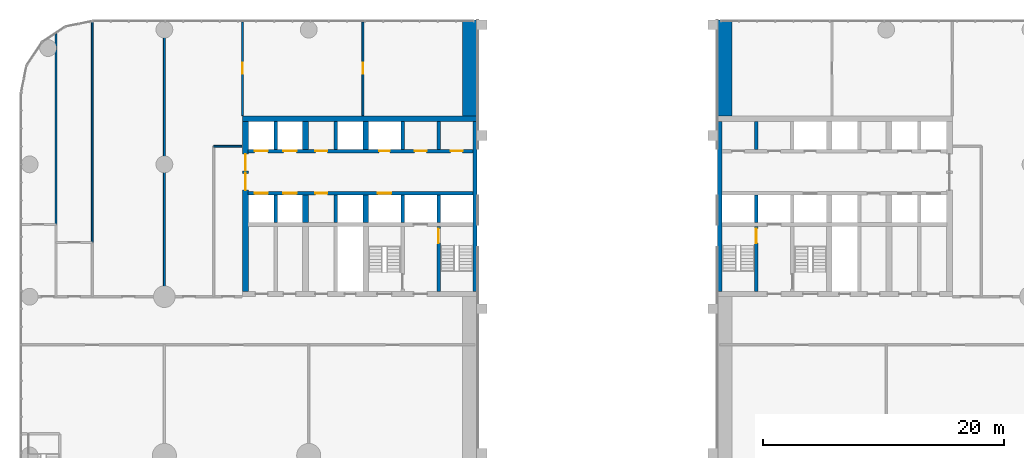
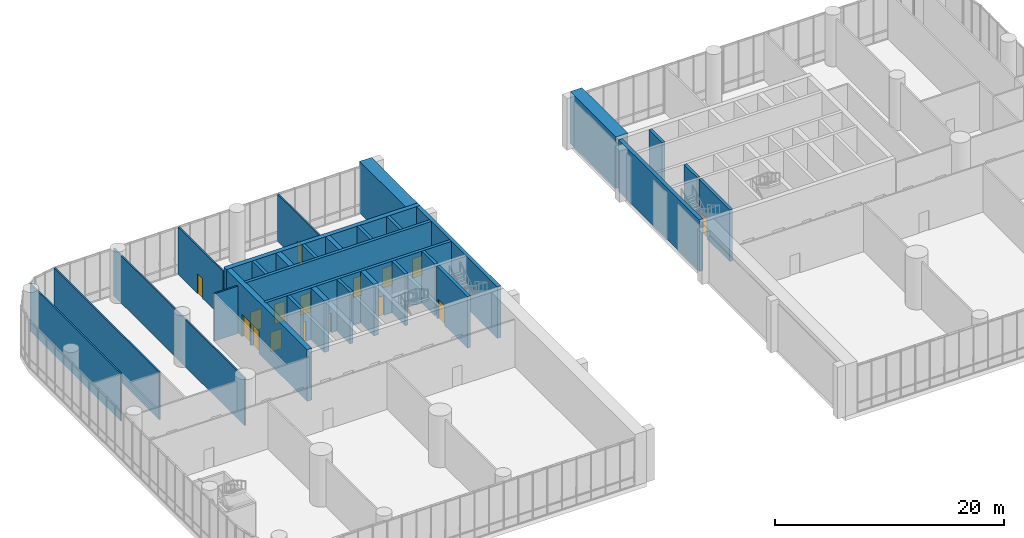
# One storey, part 23 of 28: 30 walls, 16 doors, 16 openings.
"""IFC4 building model written with IfcOpenShell, lengths in metres."""

from ifc_helpers import new_model, si_unit, direction, frame, frame_2d, origin, place, context, subcontext, project, spatial, rectangle, extrude, material, layer, layer_set, type_object, element, fill, save


model = new_model("IFC4")

# Units and contexts
model_context = context("Model", 3, precision=1e-05, world=origin(), true_north=direction((0.0, 1.0)))
body_context = subcontext(model_context, "Body", "Model", "MODEL_VIEW")
ifc_project = project(units=[si_unit("LENGTHUNIT", "METRE"), si_unit("AREAUNIT", "SQUARE_METRE"), si_unit("VOLUMEUNIT", "CUBIC_METRE"), si_unit("PLANEANGLEUNIT", "RADIAN"), si_unit("MASSUNIT", "GRAM", prefix="KILO")], contexts=[model_context])

# Site, building, storey
site_placement = place(None, origin())
site = spatial("IfcSite", under=ifc_project, at=site_placement, CompositionType="ELEMENT")
building_placement = place(site_placement, origin())
building = spatial("IfcBuilding", under=site, at=building_placement, Name="Torana Hotel and Residences", CompositionType="ELEMENT")
storey_placement = place(building_placement, frame((0.0, 0.0, 7.0)))
storey = spatial("IfcBuildingStorey", under=building, at=storey_placement, Name="L01", CompositionType="ELEMENT", Elevation=7.0)

# Walls
ifc_material_1 = material(Name="Concrete C70/85", Category="concrete")
ifc_layer_1 = layer(ifc_material_1, 1.199951171875)
ifc_layer_set_1 = layer_set([ifc_layer_1], Name="CORE WALL 1200 C70/85")
wall_type_1 = type_object("IfcWallType", Name="CORE WALL 1200 C70/85", PredefinedType="SHEAR", material=ifc_layer_set_1)
for number, where, z_axis, x_axis, name in (
    (1, (-10.60009765625, 0.0, 0.0), (0.0, 0.0, 1.0), (0.0, 1.0, 0.0), "Arch jamb wall W"),
    (2, (10.60009765625, 0.0, 0.0), (0.0, 0.0, 1.0), (0.0, 1.0, 0.0), "Arch jamb wall E"),
):
    element("IfcWall", number, at=place(storey_placement, frame(where, z_axis=z_axis, x_axis=x_axis)), inside=storey, type_object=wall_type_1, Name=name, PredefinedType="SHEAR", context=body_context, shape_type="SweptSolid", body=[
        extrude(rectangle(XDim=8.0, YDim=1.199951171875, at=frame_2d((4.0, 0.0))), origin(), (0.0, 0.0, 1.0), 5.5),
    ])

# Wall, openings, doors
ifc_material_2 = material(Name="Concrete C80/95", Category="concrete")
ifc_layer_2 = layer(ifc_material_2, 0.300048828125)
ifc_layer_set_2 = layer_set([ifc_layer_2], Name="CORE WALL 300 C80/95")
wall_type_2 = type_object("IfcWallType", Name="CORE WALL 300 C80/95", PredefinedType="SHEAR", material=ifc_layer_set_2)
wall_1_placement = place(storey_placement, frame((-29.050048828125, -2.89990234375, 0.0), z_axis=(0.0, 0.0, 1.0), x_axis=(1.0, 0.0, 0.0)))
wall_1 = element("IfcWall", 3, at=wall_1_placement, inside=storey, type_object=wall_type_2, Name="Core wall W row-N", PredefinedType="SHEAR", context=body_context, shape_type="SweptSolid", body=[
    extrude(rectangle(XDim=18.699951171875, YDim=0.300048828125, at=frame_2d((9.35009765625, 0.0))), origin(), (0.0, 0.0, 1.0), 5.5),
])
opening_1_placement = place(wall_1_placement, frame((2.949951171875, 0.0, 0.0)))
opening_1 = element("IfcOpeningElement", 4, at=opening_1_placement, cuts=wall_1, Name="Opening LD", PredefinedType="OPENING", context=body_context, shape_type="SweptSolid", body=[
    extrude(rectangle(XDim=1.10009765625, YDim=2.10009765625, at=frame_2d((0.550048828125, 1.050048828125))), frame((0.0, 0.159912109375, 0.0), z_axis=(0.0, -1.0, 0.0), x_axis=(1.0, 0.0, 0.0)), (0.0, 0.0, 1.0), 0.320068359375),
])
opening_2_placement = place(wall_1_placement, frame((0.550048828125, 0.0, 0.0)))
opening_2 = element("IfcOpeningElement", 5, at=opening_2_placement, cuts=wall_1, Name="Opening LD", PredefinedType="OPENING", context=body_context, shape_type="SweptSolid", body=[
    extrude(rectangle(XDim=1.10009765625, YDim=2.10009765625, at=frame_2d((0.550048828125, 1.050048828125))), frame((0.0, 0.159912109375, 0.0), z_axis=(0.0, -1.0, 0.0), x_axis=(1.0, 0.0, 0.0)), (0.0, 0.0, 1.0), 0.320068359375),
])
opening_3_placement = place(wall_1_placement, frame((10.89990234375, 0.0, 0.0)))
opening_3 = element("IfcOpeningElement", 6, at=opening_3_placement, cuts=wall_1, Name="Opening L01-09", PredefinedType="OPENING", context=body_context, shape_type="SweptSolid", body=[
    extrude(rectangle(XDim=0.89990234375, YDim=2.10009765625, at=frame_2d((0.449951171875, 1.050048828125))), frame((0.0, 0.159912109375, 0.0), z_axis=(0.0, -1.0, 0.0), x_axis=(1.0, 0.0, 0.0)), (0.0, 0.0, 1.0), 0.320068359375),
])
opening_4_placement = place(wall_1_placement, frame((16.85009765625, 0.0, 0.0)))
opening_4 = element("IfcOpeningElement", 7, at=opening_4_placement, cuts=wall_1, Name="Opening L01-10", PredefinedType="OPENING", context=body_context, shape_type="SweptSolid", body=[
    extrude(rectangle(XDim=1.0, YDim=2.10009765625, at=frame_2d((0.5, 1.050048828125))), frame((0.0, 0.159912109375, 0.0), z_axis=(0.0, -1.0, 0.0), x_axis=(1.0, 0.0, 0.0)), (0.0, 0.0, 1.0), 0.320068359375),
])
opening_5_placement = place(wall_1_placement, frame((13.85009765625, 0.0, 0.0)))
opening_5 = element("IfcOpeningElement", 8, at=opening_5_placement, cuts=wall_1, Name="Opening L01-11", PredefinedType="OPENING", context=body_context, shape_type="SweptSolid", body=[
    extrude(rectangle(XDim=1.0, YDim=2.10009765625, at=frame_2d((0.5, 1.050048828125))), frame((0.0, 0.159912109375, 0.0), z_axis=(0.0, -1.0, 0.0), x_axis=(1.0, 0.0, 0.0)), (0.0, 0.0, 1.0), 0.320068359375),
])
opening_6_placement = place(wall_1_placement, frame((5.60009765625, 0.0, 0.0)))
opening_6 = element("IfcOpeningElement", 9, at=opening_6_placement, cuts=wall_1, Name="Opening L01-12", PredefinedType="OPENING", context=body_context, shape_type="SweptSolid", body=[
    extrude(rectangle(XDim=1.0, YDim=2.10009765625, at=frame_2d((0.5, 1.050048828125))), frame((0.0, 0.159912109375, 0.0), z_axis=(0.0, -1.0, 0.0), x_axis=(1.0, 0.0, 0.0)), (0.0, 0.0, 1.0), 0.320068359375),
])
ifc_material_3 = material(Name="Steel S235", Category="steel")
door_type_1 = type_object("IfcDoorType", Name="CORE ROOM FIRE DOOR D14 1000x2100", OperationType="SINGLE_SWING_LEFT", PredefinedType="DOOR", material=ifc_material_3)
door_1_placement = place(opening_4_placement, origin())
door_1 = element("IfcDoor", 10, at=door_1_placement, inside=storey, type_object=door_type_1, Name="N0 door L01", OperationType="SINGLE_SWING_RIGHT", OverallHeight=2.10009765625, OverallWidth=1.0, PredefinedType="DOOR", context=body_context, shape_type="SweptSolid", body=[
    extrude(rectangle(XDim=1.0, YDim=2.10009765625, at=frame_2d((0.5, 1.050048828125))), frame((0.0, 0.02490234375, 0.0), z_axis=(0.0, -1.0, 0.0), x_axis=(1.0, 0.0, 0.0)), (0.0, 0.0, 1.0), 0.050048828125),
])
fill(opening_4, door_1)
door_2_placement = place(opening_5_placement, origin())
door_2 = element("IfcDoor", 11, at=door_2_placement, inside=storey, type_object=door_type_1, Name="N1 door L01", OperationType="SINGLE_SWING_RIGHT", OverallHeight=2.10009765625, OverallWidth=1.0, PredefinedType="DOOR", context=body_context, shape_type="SweptSolid", body=[
    extrude(rectangle(XDim=1.0, YDim=2.10009765625, at=frame_2d((0.5, 1.050048828125))), frame((0.0, 0.02490234375, 0.0), z_axis=(0.0, -1.0, 0.0), x_axis=(1.0, 0.0, 0.0)), (0.0, 0.0, 1.0), 0.050048828125),
])
fill(opening_5, door_2)
door_3_placement = place(opening_6_placement, origin())
door_3 = element("IfcDoor", 12, at=door_3_placement, inside=storey, type_object=door_type_1, Name="Free-M1 door L01", OperationType="SINGLE_SWING_RIGHT", OverallHeight=2.10009765625, OverallWidth=1.0, PredefinedType="DOOR", context=body_context, shape_type="SweptSolid", body=[
    extrude(rectangle(XDim=1.0, YDim=2.10009765625, at=frame_2d((0.5, 1.050048828125))), frame((0.0, 0.02490234375, 0.0), z_axis=(0.0, -1.0, 0.0), x_axis=(1.0, 0.0, 0.0)), (0.0, 0.0, 1.0), 0.050048828125),
])
fill(opening_6, door_3)
ifc_material_4 = material(Name="Stainless steel 316", Category="steel")
door_type_2 = type_object("IfcDoorType", Name="LIFT LANDING DOOR LD 1100x2100", OperationType="DOUBLE_DOOR_SLIDING", PredefinedType="USERDEFINED", material=ifc_material_4)
door_4_placement = place(opening_1_placement, origin())
door_4 = element("IfcDoor", 13, at=door_4_placement, inside=storey, type_object=door_type_2, Name="Lift landing door L1 L01", ObjectType="LIFT LANDING DOOR", OperationType="DOUBLE_DOOR_SLIDING", OverallHeight=2.10009765625, OverallWidth=1.10009765625, PredefinedType="USERDEFINED", context=body_context, shape_type="SweptSolid", body=[
    extrude(rectangle(XDim=1.10009765625, YDim=2.10009765625, at=frame_2d((0.550048828125, 1.050048828125))), frame((0.0, 0.02490234375, 0.0), z_axis=(0.0, -1.0, 0.0), x_axis=(1.0, 0.0, 0.0)), (0.0, 0.0, 1.0), 0.050048828125),
])
fill(opening_1, door_4)
door_5_placement = place(opening_2_placement, origin())
door_5 = element("IfcDoor", 14, at=door_5_placement, inside=storey, type_object=door_type_2, Name="Lift landing door L2 L01", ObjectType="LIFT LANDING DOOR", OperationType="DOUBLE_DOOR_SLIDING", OverallHeight=2.10009765625, OverallWidth=1.10009765625, PredefinedType="USERDEFINED", context=body_context, shape_type="SweptSolid", body=[
    extrude(rectangle(XDim=1.10009765625, YDim=2.10009765625, at=frame_2d((0.550048828125, 1.050048828125))), frame((0.0, 0.02490234375, 0.0), z_axis=(0.0, -1.0, 0.0), x_axis=(1.0, 0.0, 0.0)), (0.0, 0.0, 1.0), 0.050048828125),
])
fill(opening_2, door_5)
ifc_material_5 = material(Name="Steel S235", Category="steel")
door_type_3 = type_object("IfcDoorType", Name="RISER ACCESS DOOR D5 900x2100", OperationType="SINGLE_SWING_LEFT", PredefinedType="DOOR", material=ifc_material_5)
door_6_placement = place(opening_3_placement, origin())
door_6 = element("IfcDoor", 15, at=door_6_placement, inside=storey, type_object=door_type_3, Name="N2 door L01", OperationType="SINGLE_SWING_RIGHT", OverallHeight=2.10009765625, OverallWidth=0.89990234375, PredefinedType="DOOR", context=body_context, shape_type="SweptSolid", body=[
    extrude(rectangle(XDim=0.89990234375, YDim=2.10009765625, at=frame_2d((0.449951171875, 1.050048828125))), frame((0.0, 0.02490234375, 0.0), z_axis=(0.0, -1.0, 0.0), x_axis=(1.0, 0.0, 0.0)), (0.0, 0.0, 1.0), 0.050048828125),
])
fill(opening_3, door_6)

wall_2_placement = place(storey_placement, frame((-29.050048828125, -6.39990234375, 0.0), z_axis=(0.0, 0.0, 1.0), x_axis=(1.0, 0.0, 0.0)))
wall_2 = element("IfcWall", 16, at=wall_2_placement, inside=storey, type_object=wall_type_2, Name="Core wall W row-S", PredefinedType="SHEAR", context=body_context, shape_type="SweptSolid", body=[
    extrude(rectangle(XDim=18.699951171875, YDim=0.300048828125, at=frame_2d((9.35009765625, 0.0))), origin(), (0.0, 0.0, 1.0), 5.5),
])
opening_7_placement = place(wall_2_placement, frame((2.949951171875, 0.0, 0.0)))
opening_7 = element("IfcOpeningElement", 17, at=opening_7_placement, cuts=wall_2, Name="Opening LD", PredefinedType="OPENING", context=body_context, shape_type="SweptSolid", body=[
    extrude(rectangle(XDim=1.10009765625, YDim=2.10009765625, at=frame_2d((0.550048828125, 1.050048828125))), frame((0.0, 0.159912109375, 0.0), z_axis=(0.0, -1.0, 0.0), x_axis=(1.0, 0.0, 0.0)), (0.0, 0.0, 1.0), 0.320068359375),
])
opening_8_placement = place(wall_2_placement, frame((0.550048828125, 0.0, 0.0)))
opening_8 = element("IfcOpeningElement", 18, at=opening_8_placement, cuts=wall_2, Name="Opening LD", PredefinedType="OPENING", context=body_context, shape_type="SweptSolid", body=[
    extrude(rectangle(XDim=1.10009765625, YDim=2.10009765625, at=frame_2d((0.550048828125, 1.050048828125))), frame((0.0, 0.159912109375, 0.0), z_axis=(0.0, -1.0, 0.0), x_axis=(1.0, 0.0, 0.0)), (0.0, 0.0, 1.0), 0.320068359375),
])
opening_9_placement = place(wall_2_placement, frame((10.800048828125, 0.0, 0.0)))
opening_9 = element("IfcOpeningElement", 19, at=opening_9_placement, cuts=wall_2, Name="Opening LD", PredefinedType="OPENING", context=body_context, shape_type="SweptSolid", body=[
    extrude(rectangle(XDim=1.10009765625, YDim=2.10009765625, at=frame_2d((0.550048828125, 1.050048828125))), frame((0.0, 0.159912109375, 0.0), z_axis=(0.0, -1.0, 0.0), x_axis=(1.0, 0.0, 0.0)), (0.0, 0.0, 1.0), 0.320068359375),
])
opening_10_placement = place(wall_2_placement, frame((5.60009765625, 0.0, 0.0)))
opening_10 = element("IfcOpeningElement", 20, at=opening_10_placement, cuts=wall_2, Name="Opening L01-13", PredefinedType="OPENING", context=body_context, shape_type="SweptSolid", body=[
    extrude(rectangle(XDim=1.0, YDim=2.10009765625, at=frame_2d((0.5, 1.050048828125))), frame((0.0, 0.159912109375, 0.0), z_axis=(0.0, -1.0, 0.0), x_axis=(1.0, 0.0, 0.0)), (0.0, 0.0, 1.0), 0.320068359375),
])
door_7_placement = place(opening_10_placement, frame((0.5, 0.0, 0.0), z_axis=(0.0, 0.0, 1.0), x_axis=(-1.0, 0.0, 0.0)))
door_7 = element("IfcDoor", 21, at=door_7_placement, inside=storey, type_object=door_type_1, Name="Free-M2 door L01", OperationType="SINGLE_SWING_LEFT", OverallHeight=2.10009765625, OverallWidth=1.0, PredefinedType="DOOR", context=body_context, shape_type="SweptSolid", body=[
    extrude(rectangle(XDim=1.0, YDim=2.10009765625, at=frame_2d((0.0, 1.050048828125))), frame((0.0, -0.02490234375, 0.0), z_axis=(0.0, 1.0, 0.0), x_axis=(-1.0, 0.0, 0.0)), (0.0, 0.0, 1.0), 0.050048828125),
])
fill(opening_10, door_7)
door_8_placement = place(opening_7_placement, origin())
door_8 = element("IfcDoor", 22, at=door_8_placement, inside=storey, type_object=door_type_2, Name="Lift landing door L3 L01", ObjectType="LIFT LANDING DOOR", OperationType="DOUBLE_DOOR_SLIDING", OverallHeight=2.10009765625, OverallWidth=1.10009765625, PredefinedType="USERDEFINED", context=body_context, shape_type="SweptSolid", body=[
    extrude(rectangle(XDim=1.10009765625, YDim=2.10009765625, at=frame_2d((0.550048828125, 1.050048828125))), frame((0.0, 0.02490234375, 0.0), z_axis=(0.0, -1.0, 0.0), x_axis=(1.0, 0.0, 0.0)), (0.0, 0.0, 1.0), 0.050048828125),
])
fill(opening_7, door_8)
door_9_placement = place(opening_8_placement, origin())
door_9 = element("IfcDoor", 23, at=door_9_placement, inside=storey, type_object=door_type_2, Name="Lift landing door L4 L01", ObjectType="LIFT LANDING DOOR", OperationType="DOUBLE_DOOR_SLIDING", OverallHeight=2.10009765625, OverallWidth=1.10009765625, PredefinedType="USERDEFINED", context=body_context, shape_type="SweptSolid", body=[
    extrude(rectangle(XDim=1.10009765625, YDim=2.10009765625, at=frame_2d((0.550048828125, 1.050048828125))), frame((0.0, 0.02490234375, 0.0), z_axis=(0.0, -1.0, 0.0), x_axis=(1.0, 0.0, 0.0)), (0.0, 0.0, 1.0), 0.050048828125),
])
fill(opening_8, door_9)
door_10_placement = place(opening_9_placement, origin())
door_10 = element("IfcDoor", 24, at=door_10_placement, inside=storey, type_object=door_type_2, Name="Lift landing door SV1 L01", ObjectType="LIFT LANDING DOOR", OperationType="DOUBLE_DOOR_SLIDING", OverallHeight=2.10009765625, OverallWidth=1.10009765625, PredefinedType="USERDEFINED", context=body_context, shape_type="SweptSolid", body=[
    extrude(rectangle(XDim=1.10009765625, YDim=2.10009765625, at=frame_2d((0.550048828125, 1.050048828125))), frame((0.0, 0.02490234375, 0.0), z_axis=(0.0, -1.0, 0.0), x_axis=(1.0, 0.0, 0.0)), (0.0, 0.0, 1.0), 0.050048828125),
])
fill(opening_9, door_10)

# Walls
for number, where, z_axis, x_axis, name in (
    (25, (-13.199951171875, -2.75, 0.0), (0.0, 0.0, 1.0), (0.0, 1.0, 0.0), "Core wall W x3.05-N"),
    (26, (-13.199951171875, -8.85009765625, 0.0), (0.0, 0.0, 1.0), (0.0, 1.0, 0.0), "Core wall W x3.05-S"),
):
    element("IfcWall", number, at=place(storey_placement, frame(where, z_axis=z_axis, x_axis=x_axis)), inside=storey, type_object=wall_type_2, Name=name, PredefinedType="SHEAR", context=body_context, shape_type="SweptSolid", body=[
        extrude(rectangle(XDim=2.300048828125, YDim=0.300048828125, at=frame_2d((1.14990234375, 0.0))), origin(), (0.0, 0.0, 1.0), 5.5),
    ])

# Wall, opening, door
wall_3_placement = place(storey_placement, frame((-13.199951171875, -14.550048828125, 0.0), z_axis=(0.0, 0.0, 1.0), x_axis=(0.0, 1.0, 0.0)))
wall_3 = element("IfcWall", 27, at=wall_3_placement, inside=storey, type_object=wall_type_2, Name="Core wall W x3.05-band", PredefinedType="SHEAR", context=body_context, shape_type="SweptSolid", body=[
    extrude(rectangle(XDim=5.400146484375, YDim=0.300048828125, at=frame_2d((2.7001953125, 0.0))), origin(), (0.0, 0.0, 1.0), 5.5),
])
opening_11_placement = place(wall_3_placement, frame((4.0, 0.0, 0.0)))
opening_11 = element("IfcOpeningElement", 28, at=opening_11_placement, cuts=wall_3, Name="Opening L01-14", PredefinedType="OPENING", context=body_context, shape_type="SweptSolid", body=[
    extrude(rectangle(XDim=1.199951171875, YDim=2.10009765625, at=frame_2d((0.60009765625, 1.050048828125))), frame((0.0, 0.159912109375, 0.0), z_axis=(0.0, -1.0, 0.0), x_axis=(1.0, 0.0, 0.0)), (0.0, 0.0, 1.0), 0.320068359375),
])
ifc_material_6 = material(Name="Steel S235", Category="steel")
door_type_4 = type_object("IfcDoorType", Name="STAIR FIRE DOOR D3 1200x2100", OperationType="SINGLE_SWING_LEFT", PredefinedType="DOOR", material=ifc_material_6)
door_11_placement = place(opening_11_placement, frame((0.60009765625, 0.0, 0.0), z_axis=(0.0, 0.0, 1.0), x_axis=(-1.0, 0.0, 0.0)))
door_11 = element("IfcDoor", 29, at=door_11_placement, inside=storey, type_object=door_type_4, Name="Stair-A-lobby door L01", OperationType="SINGLE_SWING_RIGHT", OverallHeight=2.10009765625, OverallWidth=1.199951171875, PredefinedType="DOOR", context=body_context, shape_type="SweptSolid", body=[
    extrude(rectangle(XDim=1.199951171875, YDim=2.10009765625, at=frame_2d((0.0, 1.050048828125))), frame((0.0, -0.02490234375, 0.0), z_axis=(0.0, 1.0, 0.0), x_axis=(-1.0, 0.0, 0.0)), (0.0, 0.0, 1.0), 0.050048828125),
])
fill(opening_11, door_11)

# Walls
for number, where, z_axis, x_axis, name in (
    (30, (-16.199951171875, -2.75, 0.0), (0.0, 0.0, 1.0), (0.0, 1.0, 0.0), "Core wall W x6.05-N"),
    (31, (-16.199951171875, -8.85009765625, 0.0), (0.0, 0.0, 1.0), (0.0, 1.0, 0.0), "Core wall W x6.05-S"),
    (32, (-21.75, -2.75, 0.0), (0.0, 0.0, 1.0), (0.0, 1.0, 0.0), "Core wall W mm-N"),
    (33, (-21.75, -8.85009765625, 0.0), (0.0, 0.0, 1.0), (0.0, 1.0, 0.0), "Core wall W mm-S"),
    (34, (-26.75, -2.75, 0.0), (0.0, 0.0, 1.0), (0.0, 1.0, 0.0), "Core wall W ll-N"),
    (35, (-26.75, -8.85009765625, 0.0), (0.0, 0.0, 1.0), (0.0, 1.0, 0.0), "Core wall W ll-S"),
    (36, (13.199951171875, -2.75, 0.0), (0.0, 0.0, 1.0), (0.0, 1.0, 0.0), "Core wall E x3.05-N"),
    (37, (13.199951171875, -8.85009765625, 0.0), (0.0, 0.0, 1.0), (0.0, 1.0, 0.0), "Core wall E x3.05-S"),
):
    element("IfcWall", number, at=place(storey_placement, frame(where, z_axis=z_axis, x_axis=x_axis)), inside=storey, type_object=wall_type_2, Name=name, PredefinedType="SHEAR", context=body_context, shape_type="SweptSolid", body=[
        extrude(rectangle(XDim=2.300048828125, YDim=0.300048828125, at=frame_2d((1.14990234375, 0.0))), origin(), (0.0, 0.0, 1.0), 5.5),
    ])

# Wall, opening, door
wall_4_placement = place(storey_placement, frame((13.199951171875, -14.550048828125, 0.0), z_axis=(0.0, 0.0, 1.0), x_axis=(0.0, 1.0, 0.0)))
wall_4 = element("IfcWall", 38, at=wall_4_placement, inside=storey, type_object=wall_type_2, Name="Core wall E x3.05-band", PredefinedType="SHEAR", context=body_context, shape_type="SweptSolid", body=[
    extrude(rectangle(XDim=5.400146484375, YDim=0.300048828125, at=frame_2d((2.7001953125, 0.0))), origin(), (0.0, 0.0, 1.0), 5.5),
])
opening_12_placement = place(wall_4_placement, frame((4.0, 0.0, 0.0)))
opening_12 = element("IfcOpeningElement", 39, at=opening_12_placement, cuts=wall_4, Name="Opening L01-29", PredefinedType="OPENING", context=body_context, shape_type="SweptSolid", body=[
    extrude(rectangle(XDim=1.199951171875, YDim=2.10009765625, at=frame_2d((0.60009765625, 1.050048828125))), frame((0.0, 0.159912109375, 0.0), z_axis=(0.0, -1.0, 0.0), x_axis=(1.0, 0.0, 0.0)), (0.0, 0.0, 1.0), 0.320068359375),
])
door_12_placement = place(opening_12_placement, origin())
door_12 = element("IfcDoor", 40, at=door_12_placement, inside=storey, type_object=door_type_4, Name="Stair-A-lobby door L01", OperationType="SINGLE_SWING_LEFT", OverallHeight=2.10009765625, OverallWidth=1.199951171875, PredefinedType="DOOR", context=body_context, shape_type="SweptSolid", body=[
    extrude(rectangle(XDim=1.199951171875, YDim=2.10009765625, at=frame_2d((0.60009765625, 1.050048828125))), frame((0.0, 0.02490234375, 0.0), z_axis=(0.0, -1.0, 0.0), x_axis=(1.0, 0.0, 0.0)), (0.0, 0.0, 1.0), 0.050048828125),
])
fill(opening_12, door_12)

# Walls
ifc_material_7 = material(Name="Concrete C80/95", Category="concrete")
ifc_layer_3 = layer(ifc_material_7, 0.35009765625)
ifc_layer_set_3 = layer_set([ifc_layer_3], Name="CORE WALL 350 C80/95")
wall_type_3 = type_object("IfcWallType", Name="CORE WALL 350 C80/95", PredefinedType="SHEAR", material=ifc_layer_set_3)
for number, where, z_axis, x_axis, name in (
    (41, (-10.175048828125, -14.550048828125, 0.0), (0.0, 0.0, 1.0), (0.0, 1.0, 0.0), "Core wall W arch"),
    (42, (10.175048828125, -14.550048828125, 0.0), (0.0, 0.0, 1.0), (0.0, 1.0, 0.0), "Core wall E arch"),
):
    element("IfcWall", number, at=place(storey_placement, frame(where, z_axis=z_axis, x_axis=x_axis)), inside=storey, type_object=wall_type_3, Name=name, PredefinedType="SHEAR", context=body_context, shape_type="SweptSolid", body=[
        extrude(rectangle(XDim=14.10009765625, YDim=0.35009765625, at=frame_2d((7.050048828125, 0.0))), origin(), (0.0, 0.0, 1.0), 5.5),
    ])
ifc_material_8 = material(Name="Concrete C80/95", Category="concrete")
ifc_layer_4 = layer(ifc_material_8, 0.449951171875)
ifc_layer_set_4 = layer_set([ifc_layer_4], Name="CORE WALL 450 C80/95")
wall_type_4 = type_object("IfcWallType", Name="CORE WALL 450 C80/95", PredefinedType="SHEAR", material=ifc_layer_set_4)
wall_5_placement = place(storey_placement, frame((-29.5, -0.22509765625, 0.0), z_axis=(0.0, 0.0, 1.0), x_axis=(1.0, 0.0, 0.0)))
element("IfcWall", 43, at=wall_5_placement, inside=storey, type_object=wall_type_4, Name="Core wall W rear", PredefinedType="SHEAR", context=body_context, shape_type="SweptSolid", body=[
    extrude(rectangle(XDim=19.5, YDim=0.449951171875, at=frame_2d((9.75, 0.0))), origin(), (0.0, 0.0, 1.0), 5.5),
])
for number, where, z_axis, x_axis, name in (
    (44, (-19.27490234375, -2.75, 0.0), (0.0, 0.0, 1.0), (0.0, 1.0, 0.0), "Core wall W hm-N"),
    (45, (-19.27490234375, -8.85009765625, 0.0), (0.0, 0.0, 1.0), (0.0, 1.0, 0.0), "Core wall W hm-S"),
):
    element("IfcWall", number, at=place(storey_placement, frame(where, z_axis=z_axis, x_axis=x_axis)), inside=storey, type_object=wall_type_4, Name=name, PredefinedType="SHEAR", context=body_context, shape_type="SweptSolid", body=[
        extrude(rectangle(XDim=2.300048828125, YDim=0.449951171875, at=frame_2d((1.14990234375, 0.0))), origin(), (0.0, 0.0, 1.0), 5.5),
    ])

# Wall, openings, doors
ifc_material_9 = material(Name="Concrete C80/95", Category="concrete")
ifc_layer_5 = layer(ifc_material_9, 0.5)
ifc_layer_set_5 = layer_set([ifc_layer_5], Name="CORE WALL 500 C80/95")
wall_type_5 = type_object("IfcWallType", Name="CORE WALL 500 C80/95", PredefinedType="SHEAR", material=ifc_layer_set_5)
wall_6_placement = place(storey_placement, frame((-29.25, -14.550048828125, 0.0), z_axis=(0.0, 0.0, 1.0), x_axis=(0.0, 1.0, 0.0)))
wall_6 = element("IfcWall", 46, at=wall_6_placement, inside=storey, type_object=wall_type_5, Name="Core wall W outer", PredefinedType="SHEAR", context=body_context, shape_type="SweptSolid", body=[
    extrude(rectangle(XDim=14.10009765625, YDim=0.5, at=frame_2d((7.050048828125, 0.0))), origin(), (0.0, 0.0, 1.0), 5.5),
])
opening_13_placement = place(wall_6_placement, frame((8.39990234375, 0.0, 0.0)))
opening_13 = element("IfcOpeningElement", 47, at=opening_13_placement, cuts=wall_6, Name="Opening L01-01", PredefinedType="OPENING", context=body_context, shape_type="SweptSolid", body=[
    extrude(rectangle(XDim=1.39990234375, YDim=2.39990234375, at=frame_2d((0.699951171875, 1.199951171875))), frame((0.0, 0.260009765625, 0.0), z_axis=(0.0, -1.0, 0.0), x_axis=(1.0, 0.0, 0.0)), (0.0, 0.0, 1.0), 0.52001953125),
])
opening_14_placement = place(wall_6_placement, frame((10.0, 0.0, 0.0)))
opening_14 = element("IfcOpeningElement", 48, at=opening_14_placement, cuts=wall_6, Name="Opening L01-02", PredefinedType="OPENING", context=body_context, shape_type="SweptSolid", body=[
    extrude(rectangle(XDim=1.39990234375, YDim=2.39990234375, at=frame_2d((0.699951171875, 1.199951171875))), frame((0.0, 0.260009765625, 0.0), z_axis=(0.0, -1.0, 0.0), x_axis=(1.0, 0.0, 0.0)), (0.0, 0.0, 1.0), 0.52001953125),
])
ifc_material_10 = material(Name="Steel S235", Category="steel")
door_type_5 = type_object("IfcDoorType", Name="LOBBY FIRE DOOR D4 1400x2400", OperationType="DOUBLE_DOOR_SINGLE_SWING", PredefinedType="DOOR", material=ifc_material_10)
door_13_placement = place(opening_13_placement, origin())
door_13 = element("IfcDoor", 49, at=door_13_placement, inside=storey, type_object=door_type_5, Name="Lobby-1 door L01", OperationType="DOUBLE_DOOR_SINGLE_SWING", OverallHeight=2.39990234375, OverallWidth=1.39990234375, PredefinedType="DOOR", context=body_context, shape_type="SweptSolid", body=[
    extrude(rectangle(XDim=1.39990234375, YDim=2.39990234375, at=frame_2d((0.699951171875, 1.199951171875))), frame((0.0, 0.02490234375, 0.0), z_axis=(0.0, -1.0, 0.0), x_axis=(1.0, 0.0, 0.0)), (0.0, 0.0, 1.0), 0.050048828125),
])
fill(opening_13, door_13)
door_14_placement = place(opening_14_placement, origin())
door_14 = element("IfcDoor", 50, at=door_14_placement, inside=storey, type_object=door_type_5, Name="Lobby-2 door L01", OperationType="DOUBLE_DOOR_SINGLE_SWING", OverallHeight=2.39990234375, OverallWidth=1.39990234375, PredefinedType="DOOR", context=body_context, shape_type="SweptSolid", body=[
    extrude(rectangle(XDim=1.39990234375, YDim=2.39990234375, at=frame_2d((0.699951171875, 1.199951171875))), frame((0.0, 0.02490234375, 0.0), z_axis=(0.0, -1.0, 0.0), x_axis=(1.0, 0.0, 0.0)), (0.0, 0.0, 1.0), 0.050048828125),
])
fill(opening_14, door_14)

# Walls
for number, where, z_axis, x_axis, name in (
    (51, (-24.25, -2.75, 0.0), (0.0, 0.0, 1.0), (0.0, 1.0, 0.0), "Core wall W ml-N"),
    (52, (-24.25, -8.85009765625, 0.0), (0.0, 0.0, 1.0), (0.0, 1.0, 0.0), "Core wall W ml-S"),
):
    element("IfcWall", number, at=place(storey_placement, frame(where, z_axis=z_axis, x_axis=x_axis)), inside=storey, type_object=wall_type_5, Name=name, PredefinedType="SHEAR", context=body_context, shape_type="SweptSolid", body=[
        extrude(rectangle(XDim=2.300048828125, YDim=0.5, at=frame_2d((1.14990234375, 0.0))), origin(), (0.0, 0.0, 1.0), 5.5),
    ])
ifc_material_11 = material(Name="Gypsum plaster")
ifc_layer_6 = layer(ifc_material_11, 0.014892578125, Name="Plaster", Category="finish")
ifc_material_12 = material(Name="Concrete blockwork", Category="masonry")
ifc_layer_7 = layer(ifc_material_12, 0.1201171875, Name="Blockwork", Category="structure")
ifc_layer_8 = layer(ifc_material_11, 0.014892578125, Name="Plaster", Category="finish")
ifc_layer_set_6 = layer_set([ifc_layer_6, ifc_layer_7, ifc_layer_8], Name="FIRE PARTITION 150 BLOCKWORK")
wall_type_6 = type_object("IfcWallType", Name="FIRE PARTITION 150 BLOCKWORK", PredefinedType="PARTITIONING", material=ifc_layer_set_6)
wall_7_placement = place(storey_placement, frame((-31.89990234375, -2.5, 0.0), z_axis=(0.0, 0.0, 1.0), x_axis=(1.0, 0.0, 0.0)))
element("IfcWall", 53, at=wall_7_placement, inside=storey, type_object=wall_type_6, Name="Partition L01", PredefinedType="PARTITIONING", context=body_context, shape_type="SweptSolid", body=[
    extrude(rectangle(XDim=2.349853515625, YDim=0.14990234375, at=frame_2d((1.1748046875, 0.0))), origin(), (0.0, 0.0, 1.0), 5.050048828125),
])

# Wall, opening, door
ifc_material_13 = material(Name="Gypsum plasterboard")
ifc_layer_9 = layer(ifc_material_13, 0.012451171875, Name="Plasterboard", Category="finish")
ifc_layer_10 = layer(ifc_material_13, 0.012451171875, Name="Plasterboard", Category="finish")
ifc_material_14 = material(Name="Steel S280GD", Category="steel")
ifc_layer_11 = layer(ifc_material_14, 0.10009765625, Name="Steel studs with mineral wool", Category="insulation")
ifc_layer_12 = layer(ifc_material_13, 0.012451171875, Name="Plasterboard", Category="finish")
ifc_layer_13 = layer(ifc_material_13, 0.012451171875, Name="Plasterboard", Category="finish")
ifc_layer_set_7 = layer_set([ifc_layer_9, ifc_layer_10, ifc_layer_11, ifc_layer_12, ifc_layer_13], Name="PARTITION 150 PLASTERBOARD")
wall_type_7 = type_object("IfcWallType", Name="PARTITION 150 PLASTERBOARD", PredefinedType="PARTITIONING", material=ifc_layer_set_7)
wall_8_placement = place(storey_placement, frame((-19.5, 0.050048828125, 0.0), z_axis=(0.0, 0.0, 1.0), x_axis=(0.0, 1.0, 0.0)))
wall_8 = element("IfcWall", 54, at=wall_8_placement, inside=storey, type_object=wall_type_7, Name="Partition L01", PredefinedType="PARTITIONING", context=body_context, shape_type="SweptSolid", body=[
    extrude(rectangle(XDim=7.77001953125, YDim=0.14990234375, at=frame_2d((3.885009765625, 0.0))), origin(), (0.0, 0.0, 1.0), 5.050048828125),
])
opening_15_placement = place(wall_8_placement, frame((3.5, 0.0, 0.0)))
opening_15 = element("IfcOpeningElement", 55, at=opening_15_placement, cuts=wall_8, Name="Opening L01-56", PredefinedType="OPENING", context=body_context, shape_type="SweptSolid", body=[
    extrude(rectangle(XDim=0.89990234375, YDim=2.10009765625, at=frame_2d((0.449951171875, 1.050048828125))), frame((0.0, 0.0849609375, 0.0), z_axis=(0.0, -1.0, 0.0), x_axis=(1.0, 0.0, 0.0)), (0.0, 0.0, 1.0), 0.169921875),
])
ifc_material_15 = material(Name="Timber door, oiled ash", Category="wood")
door_type_6 = type_object("IfcDoorType", Name="ROOM DOOR D7 900x2100", OperationType="SINGLE_SWING_LEFT", PredefinedType="DOOR", material=ifc_material_15)
door_15_placement = place(opening_15_placement, origin())
door_15 = element("IfcDoor", 56, at=door_15_placement, inside=storey, type_object=door_type_6, Name="Door L01", OperationType="SINGLE_SWING_RIGHT", OverallHeight=2.10009765625, OverallWidth=0.89990234375, PredefinedType="DOOR", context=body_context, shape_type="SweptSolid", body=[
    extrude(rectangle(XDim=0.89990234375, YDim=2.10009765625, at=frame_2d((0.449951171875, 1.050048828125))), frame((0.0, 0.02490234375, 0.0), z_axis=(0.0, -1.0, 0.0), x_axis=(1.0, 0.0, 0.0)), (0.0, 0.0, 1.0), 0.050048828125),
])
fill(opening_15, door_15)

wall_9_placement = place(storey_placement, frame((-29.5, 0.050048828125, 0.0), z_axis=(0.0, 0.0, 1.0), x_axis=(0.0, 1.0, 0.0)))
wall_9 = element("IfcWall", 57, at=wall_9_placement, inside=storey, type_object=wall_type_7, Name="Partition L01", PredefinedType="PARTITIONING", context=body_context, shape_type="SweptSolid", body=[
    extrude(rectangle(XDim=7.77001953125, YDim=0.14990234375, at=frame_2d((3.885009765625, 0.0))), origin(), (0.0, 0.0, 1.0), 5.050048828125),
])
opening_16_placement = place(wall_9_placement, frame((3.5, 0.0, 0.0)))
opening_16 = element("IfcOpeningElement", 58, at=opening_16_placement, cuts=wall_9, Name="Opening L01-55", PredefinedType="OPENING", context=body_context, shape_type="SweptSolid", body=[
    extrude(rectangle(XDim=0.89990234375, YDim=2.10009765625, at=frame_2d((0.449951171875, 1.050048828125))), frame((0.0, 0.0849609375, 0.0), z_axis=(0.0, -1.0, 0.0), x_axis=(1.0, 0.0, 0.0)), (0.0, 0.0, 1.0), 0.169921875),
])
door_16_placement = place(opening_16_placement, origin())
door_16 = element("IfcDoor", 59, at=door_16_placement, inside=storey, type_object=door_type_6, Name="Door L01", OperationType="SINGLE_SWING_RIGHT", OverallHeight=2.10009765625, OverallWidth=0.89990234375, PredefinedType="DOOR", context=body_context, shape_type="SweptSolid", body=[
    extrude(rectangle(XDim=0.89990234375, YDim=2.10009765625, at=frame_2d((0.449951171875, 1.050048828125))), frame((0.0, 0.02490234375, 0.0), z_axis=(0.0, -1.0, 0.0), x_axis=(1.0, 0.0, 0.0)), (0.0, 0.0, 1.0), 0.050048828125),
])
fill(opening_16, door_16)

# Walls
wall_10_placement = place(storey_placement, frame((-36.0, -15.0, 0.0), z_axis=(0.0, 0.0, 1.0), x_axis=(0.0, 1.0, 0.0)))
element("IfcWall", 60, at=wall_10_placement, inside=storey, type_object=wall_type_7, Name="Partition L01", PredefinedType="PARTITIONING", context=body_context, shape_type="SweptSolid", body=[
    extrude(rectangle(XDim=22.820068359375, YDim=0.14990234375, at=frame_2d((11.41015625, 0.0))), origin(), (0.0, 0.0, 1.0), 5.050048828125),
])
wall_11_placement = place(storey_placement, frame((-42.0, -10.5, 0.0), z_axis=(0.0, 0.0, 1.0), x_axis=(0.0, 1.0, 0.0)))
element("IfcWall", 61, at=wall_11_placement, inside=storey, type_object=wall_type_7, Name="Partition L01", PredefinedType="PARTITIONING", context=body_context, shape_type="SweptSolid", body=[
    extrude(rectangle(XDim=18.31640625, YDim=0.14990234375, at=frame_2d((9.158203125, 0.0))), origin(), (0.0, 0.0, 1.0), 5.050048828125),
])
wall_12_placement = place(storey_placement, frame((-45.0, -9.0, 0.0), z_axis=(0.0, 0.0, 1.0), x_axis=(0.0, 1.0, 0.0)))
element("IfcWall", 62, at=wall_12_placement, inside=storey, type_object=wall_type_7, Name="Partition L01", PredefinedType="PARTITIONING", context=body_context, shape_type="SweptSolid", body=[
    extrude(rectangle(XDim=15.8564453125, YDim=0.14990234375, at=frame_2d((7.92822265625, 0.0))), origin(), (0.0, 0.0, 1.0), 5.050048828125),
])

save(model, "model.ifc")
